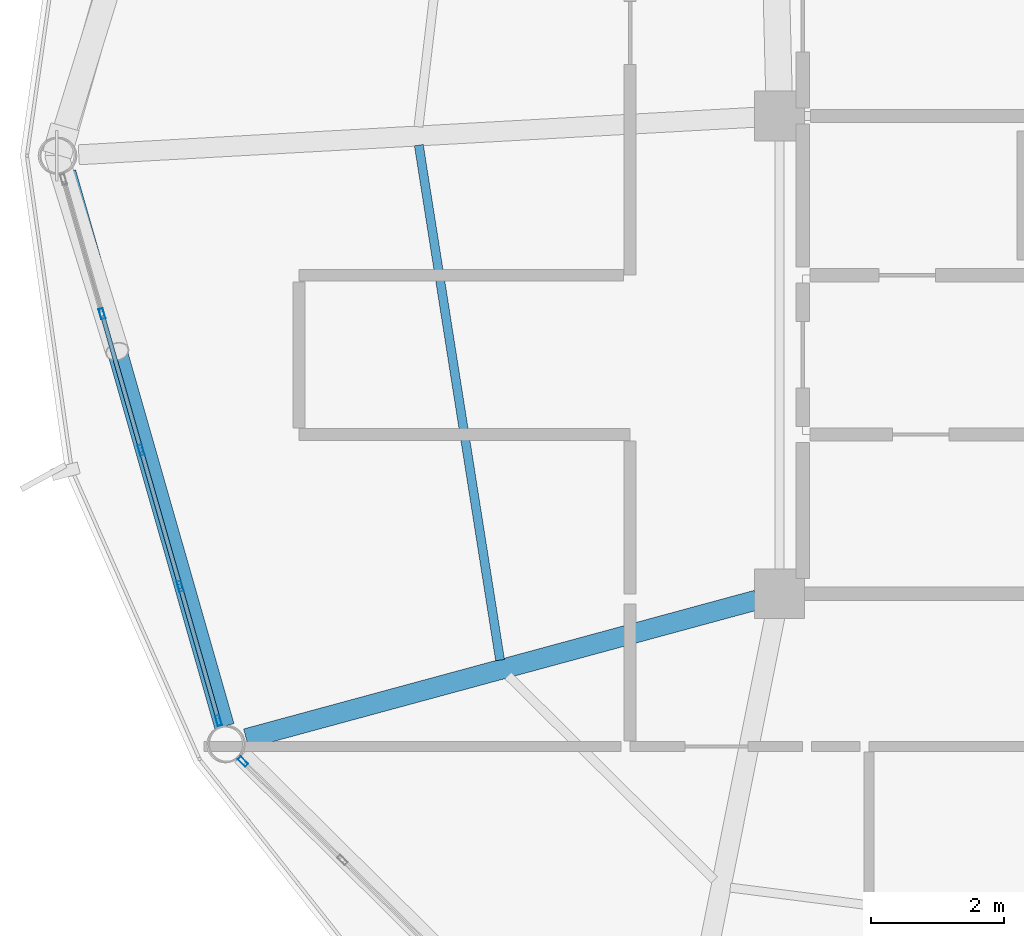
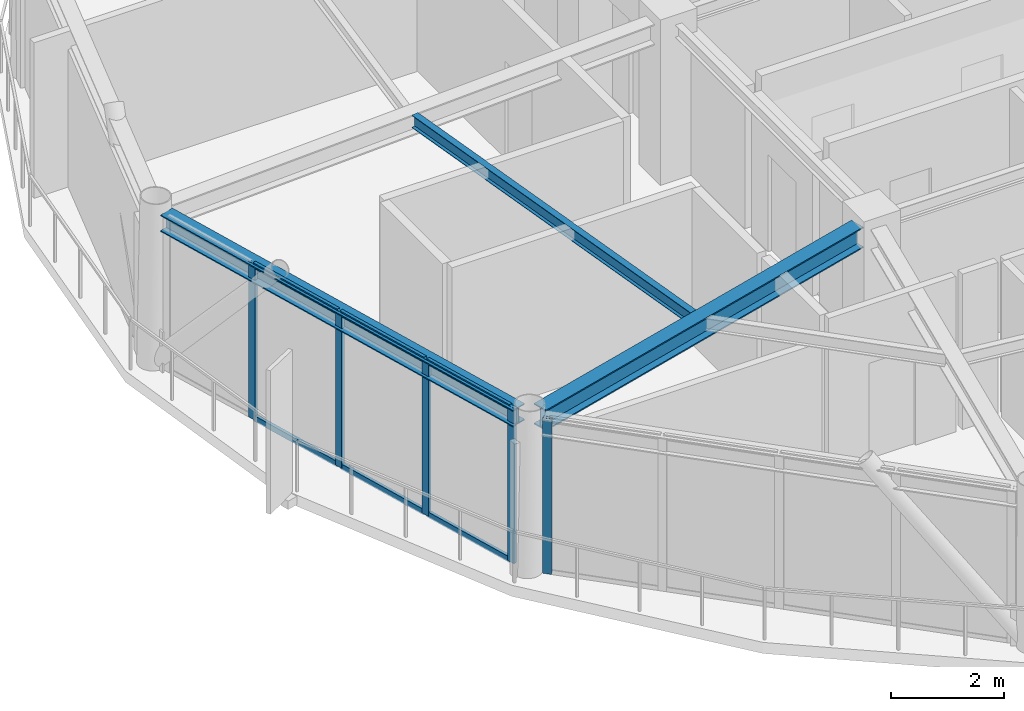
# One storey, part 4 of 26: 11 members, 3 beams, 2 elements without a shape of their own.
"""IFC4 building model written with IfcOpenShell, lengths in metres."""

from ifc_helpers import new_model, si_unit, direction, frame, origin, origin_2d, place, context, subcontext, project, spatial, hollow_rectangle, i_section, extrude, material, layer, layer_set, material_profile, profile_set, type_object, element, aggregate, save


model = new_model("IFC4")

# Units and contexts
model_context = context("Model", 3, precision=1e-05, world=origin(), true_north=direction((0.0, 1.0)))
body_context = subcontext(model_context, "Body", "Model", "MODEL_VIEW")
ifc_project = project(units=[si_unit("LENGTHUNIT", "METRE"), si_unit("AREAUNIT", "SQUARE_METRE"), si_unit("VOLUMEUNIT", "CUBIC_METRE"), si_unit("PLANEANGLEUNIT", "RADIAN"), si_unit("MASSUNIT", "GRAM", prefix="KILO")], contexts=[model_context])

# Site, building, storey
site_placement = place(None, origin())
site = spatial("IfcSite", under=ifc_project, at=site_placement, CompositionType="ELEMENT")
building_placement = place(site_placement, origin())
building = spatial("IfcBuilding", under=site, at=building_placement, Name="Varnakorn Sky Granary", CompositionType="ELEMENT")
storey_placement = place(building_placement, frame((0.0, 0.0, 270.60009765625)))
storey = spatial("IfcBuildingStorey", under=building, at=storey_placement, Name="L69", CompositionType="ELEMENT", Elevation=270.60009765625)

# Beams
ifc_material_1 = material(Name="Steel S355JR", Category="steel")
ifc_material_profile_1 = material_profile(ifc_material_1, i_section(OverallWidth=0.300048828125, OverallDepth=0.449951171875, WebThickness=0.013916015625, FlangeThickness=0.02587890625, at=origin_2d()), Name="HE 450 B")
ifc_profile_set_1 = profile_set([ifc_material_profile_1], Name="Steel S355JR")
beam_type_1 = type_object("IfcBeamType", Name="BM-RAD-Z5", PredefinedType="BEAM", material=ifc_profile_set_1)
beam_1_placement = place(storey_placement, frame((-2.692626953125, -6.693115234375, 3.135009765625), z_axis=(-0.965086141978, -0.261932698535, 0.0), x_axis=(0.261932698535, -0.965086141978, 0.0)))
element("IfcBeam", 1, at=beam_1_placement, inside=storey, type_object=beam_type_1, Name="Radial Floor Girder RG08 L69", PredefinedType="BEAM", context=body_context, shape_type="SweptSolid", body=[
    extrude(i_section(OverallWidth=0.300048828125, OverallDepth=0.449951171875, WebThickness=0.013916015625, FlangeThickness=0.02587890625, at=origin_2d()), origin(), (0.0, 0.0, 1.0), 7.97021484375),
])
ifc_material_profile_2 = material_profile(ifc_material_1, i_section(OverallWidth=0.135009765625, OverallDepth=0.27001953125, WebThickness=0.006591796875, FlangeThickness=0.01025390625, at=origin_2d()), Name="IPE 270")
ifc_profile_set_2 = profile_set([ifc_material_profile_2], Name="Steel S355JR")
beam_type_2 = type_object("IfcBeamType", Name="BM-SEC-Z5", PredefinedType="BEAM", material=ifc_profile_set_2)
beam_2_placement = place(storey_placement, frame((-7.783935546875, 0.1591796875, 3.224853515625), z_axis=(0.155802940719, -0.98778815728, 0.0), x_axis=(0.98778815728, 0.155802940719, 0.0)))
element("IfcBeam", 2, at=beam_2_placement, inside=storey, type_object=beam_type_2, Name="Secondary Floor Chord Beam MSB07 L69", PredefinedType="BEAM", context=body_context, shape_type="SweptSolid", body=[
    extrude(i_section(OverallWidth=0.135009765625, OverallDepth=0.27001953125, WebThickness=0.006591796875, FlangeThickness=0.01025390625, at=origin_2d()), origin(), (0.0, 0.0, 1.0), 7.853759765625),
])
ifc_material_profile_3 = material_profile(ifc_material_1, i_section(OverallWidth=0.300048828125, OverallDepth=0.360107421875, WebThickness=0.012451171875, FlangeThickness=0.0224609375, at=origin_2d()), Name="HE 360 B")
ifc_profile_set_3 = profile_set([ifc_material_profile_3], Name="Steel S355JR")
beam_type_3 = type_object("IfcBeamType", Name="BM-SPD-Z5", PredefinedType="SPANDREL", material=ifc_profile_set_3)
beam_3_placement = place(storey_placement, frame((-13.098388671875, -0.25439453125, 3.179931640625), z_axis=(0.275014729466, -0.961440012989, 0.0), x_axis=(0.961440012989, 0.275014729466, 0.0)))
element("IfcBeam", 3, at=beam_3_placement, inside=storey, type_object=beam_type_3, Name="Perimeter Spandrel Ring Beam RB07 L69", PredefinedType="SPANDREL", context=body_context, shape_type="SweptSolid", body=[
    extrude(i_section(OverallWidth=0.300048828125, OverallDepth=0.360107421875, WebThickness=0.012451171875, FlangeThickness=0.0224609375, at=origin_2d()), origin(), (0.0, 0.0, 1.0), 8.67578125),
])

# Curtain wall, members
ifc_material_2 = material(Name="Anodised Bronze Aluminium Alloy 6063-T6", Category="aluminium")
ifc_layer = layer(ifc_material_2, 0.159912109375, Name="Anodised Bronze Aluminium Alloy 6063-T6")
ifc_layer_set = layer_set([ifc_layer], Name="Anodised Bronze Aluminium Alloy 6063-T6")
curtain_wall_type = type_object("IfcCurtainWallType", Name="CW-OFF-1", PredefinedType="USERDEFINED", material=ifc_layer_set)
curtain_wall_1_placement = place(storey_placement, origin())
curtain_wall_1 = element("IfcCurtainWall", 4, at=curtain_wall_1_placement, inside=storey, type_object=curtain_wall_type, Name="Unitised Curtain Wall CW6 CW-L69-B07", ObjectType="CURTAIN WALL", PredefinedType="USERDEFINED")
ifc_material_profile_4 = material_profile(ifc_material_2, hollow_rectangle(XDim=0.06494140625, YDim=0.159912109375, WallThickness=0.00341796875, at=origin_2d()), Name="ALU MULL 65x160")
ifc_profile_set_4 = profile_set([ifc_material_profile_4], Name="Anodised Bronze Aluminium Alloy 6063-T6")
member_type_1 = type_object("IfcMemberType", Name="CW-OFF-1-MULL", PredefinedType="MULLION", material=ifc_profile_set_4)
member_1_placement = place(storey_placement, frame((-10.801025390625, -8.50927734375, 0.0), z_axis=(0.0, 0.0, 1.0), x_axis=(-0.96132319168, -0.275422804319, 0.0)))
member_1 = element("IfcMember", 5, at=member_1_placement, type_object=member_type_1, Name="CW6 mullion 1", PredefinedType="MULLION", context=body_context, shape_type="SweptSolid", body=[
    extrude(hollow_rectangle(XDim=0.06494140625, YDim=0.159912109375, WallThickness=0.00341796875, at=origin_2d()), origin(), (0.0, 0.0, 1.0), 3.35986328125),
])
member_2_placement = place(storey_placement, frame((-11.38037109375, -6.487060546875, 0.0), z_axis=(0.0, 0.0, 1.0), x_axis=(-0.96132319168, -0.275422804319, 0.0)))
member_2 = element("IfcMember", 6, at=member_2_placement, type_object=member_type_1, Name="CW6 mullion 2", PredefinedType="MULLION", context=body_context, shape_type="SweptSolid", body=[
    extrude(hollow_rectangle(XDim=0.06494140625, YDim=0.159912109375, WallThickness=0.00341796875, at=origin_2d()), origin(), (0.0, 0.0, 1.0), 3.35986328125),
])
member_3_placement = place(storey_placement, frame((-11.96875, -4.43359375, 0.0), z_axis=(0.0, 0.0, 1.0), x_axis=(-0.96132319168, -0.275422804319, 0.0)))
member_3 = element("IfcMember", 7, at=member_3_placement, type_object=member_type_1, Name="CW6 mullion 3", PredefinedType="MULLION", context=body_context, shape_type="SweptSolid", body=[
    extrude(hollow_rectangle(XDim=0.06494140625, YDim=0.159912109375, WallThickness=0.00341796875, at=origin_2d()), origin(), (0.0, 0.0, 1.0), 3.35986328125),
])
member_4_placement = place(storey_placement, frame((-12.55712890625, -2.3798828125, 0.0), z_axis=(0.0, 0.0, 1.0), x_axis=(-0.96132319168, -0.275422804319, 0.0)))
member_4 = element("IfcMember", 8, at=member_4_placement, type_object=member_type_1, Name="CW6 mullion 4", PredefinedType="MULLION", context=body_context, shape_type="SweptSolid", body=[
    extrude(hollow_rectangle(XDim=0.06494140625, YDim=0.159912109375, WallThickness=0.00341796875, at=origin_2d()), origin(), (0.0, 0.0, 1.0), 3.35986328125),
])

# Curtain wall, member
curtain_wall_2_placement = place(storey_placement, origin())
curtain_wall_2 = element("IfcCurtainWall", 9, at=curtain_wall_2_placement, inside=storey, type_object=curtain_wall_type, Name="Unitised Curtain Wall CW6 CW-L69-B08", ObjectType="CURTAIN WALL", PredefinedType="USERDEFINED")
member_5_placement = place(storey_placement, frame((-10.43408203125, -9.12841796875, 0.0), z_axis=(0.0, 0.0, 1.0), x_axis=(-0.702728935419, -0.711457689062, 0.0)))
member_5 = element("IfcMember", 10, at=member_5_placement, type_object=member_type_1, Name="CW6 mullion 5", PredefinedType="MULLION", context=body_context, shape_type="SweptSolid", body=[
    extrude(hollow_rectangle(XDim=0.06494140625, YDim=0.159912109375, WallThickness=0.00341796875, at=origin_2d()), origin(), (0.0, 0.0, 1.0), 3.35986328125),
])
aggregate(curtain_wall_2, [member_5])

# Member
ifc_material_profile_5 = material_profile(ifc_material_2, hollow_rectangle(XDim=0.06494140625, YDim=0.1201171875, WallThickness=0.00341796875, at=origin_2d()), Name="ALU TRAN 65x120")
ifc_profile_set_5 = profile_set([ifc_material_profile_5], Name="Anodised Bronze Aluminium Alloy 6063-T6")
member_type_2 = type_object("IfcMemberType", Name="CW-OFF-1-TRAN", PredefinedType="USERDEFINED", material=ifc_profile_set_5)
member_6_placement = place(storey_placement, frame((-10.81005859375, -8.47802734375, 0.032470703125), z_axis=(-0.275448649448, 0.961315786574, 0.0), x_axis=(-0.961315786574, -0.275448649448, 0.0)))
member_6 = element("IfcMember", 11, at=member_6_placement, type_object=member_type_2, Name="CW6 transom 1.1", ObjectType="TRANSOM", PredefinedType="USERDEFINED", context=body_context, shape_type="SweptSolid", body=[
    extrude(hollow_rectangle(XDim=0.06494140625, YDim=0.1201171875, WallThickness=0.00341796875, at=origin_2d()), origin(), (0.0, 0.0, 1.0), 2.03857421875),
])

member_7_placement = place(storey_placement, frame((-10.81005859375, -8.47802734375, 3.327392578125), z_axis=(-0.275448649448, 0.961315786574, 0.0), x_axis=(-0.961315786574, -0.275448649448, 0.0)))
member_7 = element("IfcMember", 12, at=member_7_placement, type_object=member_type_2, Name="CW6 transom 1.2", ObjectType="TRANSOM", PredefinedType="USERDEFINED", context=body_context, shape_type="SweptSolid", body=[
    extrude(hollow_rectangle(XDim=0.06494140625, YDim=0.1201171875, WallThickness=0.00341796875, at=origin_2d()), origin(), (0.0, 0.0, 1.0), 2.03857421875),
])

member_8_placement = place(storey_placement, frame((-11.389404296875, -6.455810546875, 0.032470703125), z_axis=(-0.275483920664, 0.961305679509, 0.0), x_axis=(-0.961305679509, -0.275483920664, 0.0)))
member_8 = element("IfcMember", 13, at=member_8_placement, type_object=member_type_2, Name="CW6 transom 2.1", ObjectType="TRANSOM", PredefinedType="USERDEFINED", context=body_context, shape_type="SweptSolid", body=[
    extrude(hollow_rectangle(XDim=0.06494140625, YDim=0.1201171875, WallThickness=0.00341796875, at=origin_2d()), origin(), (0.0, 0.0, 1.0), 2.071044921875),
])

member_9_placement = place(storey_placement, frame((-11.389404296875, -6.455810546875, 3.327392578125), z_axis=(-0.275483920664, 0.961305679509, 0.0), x_axis=(-0.961305679509, -0.275483920664, 0.0)))
member_9 = element("IfcMember", 14, at=member_9_placement, type_object=member_type_2, Name="CW6 transom 2.2", ObjectType="TRANSOM", PredefinedType="USERDEFINED", context=body_context, shape_type="SweptSolid", body=[
    extrude(hollow_rectangle(XDim=0.06494140625, YDim=0.1201171875, WallThickness=0.00341796875, at=origin_2d()), origin(), (0.0, 0.0, 1.0), 2.071044921875),
])

member_10_placement = place(storey_placement, frame((-11.977783203125, -4.40234375, 0.032470703125), z_axis=(-0.275343778495, 0.961345829368, 0.0), x_axis=(-0.961345829368, -0.275343778495, 0.0)))
member_10 = element("IfcMember", 15, at=member_10_placement, type_object=member_type_2, Name="CW6 transom 3.1", ObjectType="TRANSOM", PredefinedType="USERDEFINED", context=body_context, shape_type="SweptSolid", body=[
    extrude(hollow_rectangle(XDim=0.06494140625, YDim=0.1201171875, WallThickness=0.00341796875, at=origin_2d()), origin(), (0.0, 0.0, 1.0), 2.0712890625),
])

member_11_placement = place(storey_placement, frame((-11.977783203125, -4.40234375, 3.327392578125), z_axis=(-0.275343778495, 0.961345829368, 0.0), x_axis=(-0.961345829368, -0.275343778495, 0.0)))
member_11 = element("IfcMember", 16, at=member_11_placement, type_object=member_type_2, Name="CW6 transom 3.2", ObjectType="TRANSOM", PredefinedType="USERDEFINED", context=body_context, shape_type="SweptSolid", body=[
    extrude(hollow_rectangle(XDim=0.06494140625, YDim=0.1201171875, WallThickness=0.00341796875, at=origin_2d()), origin(), (0.0, 0.0, 1.0), 2.0712890625),
])

aggregate(curtain_wall_1, [member_1, member_2, member_3, member_4, member_6, member_7, member_8, member_9, member_10, member_11])

save(model, "model.ifc")
